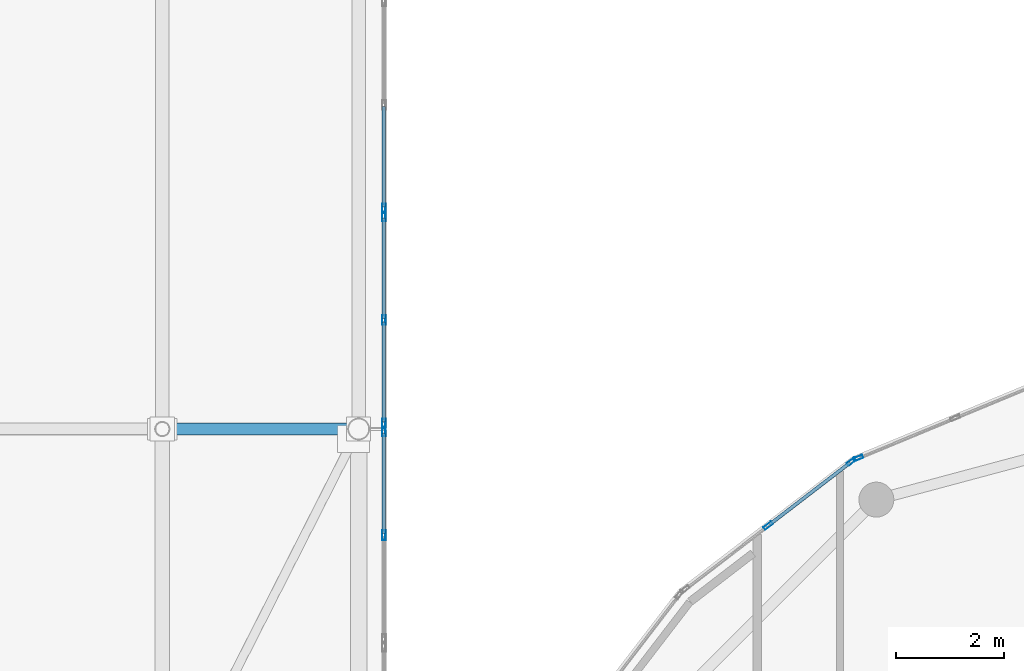
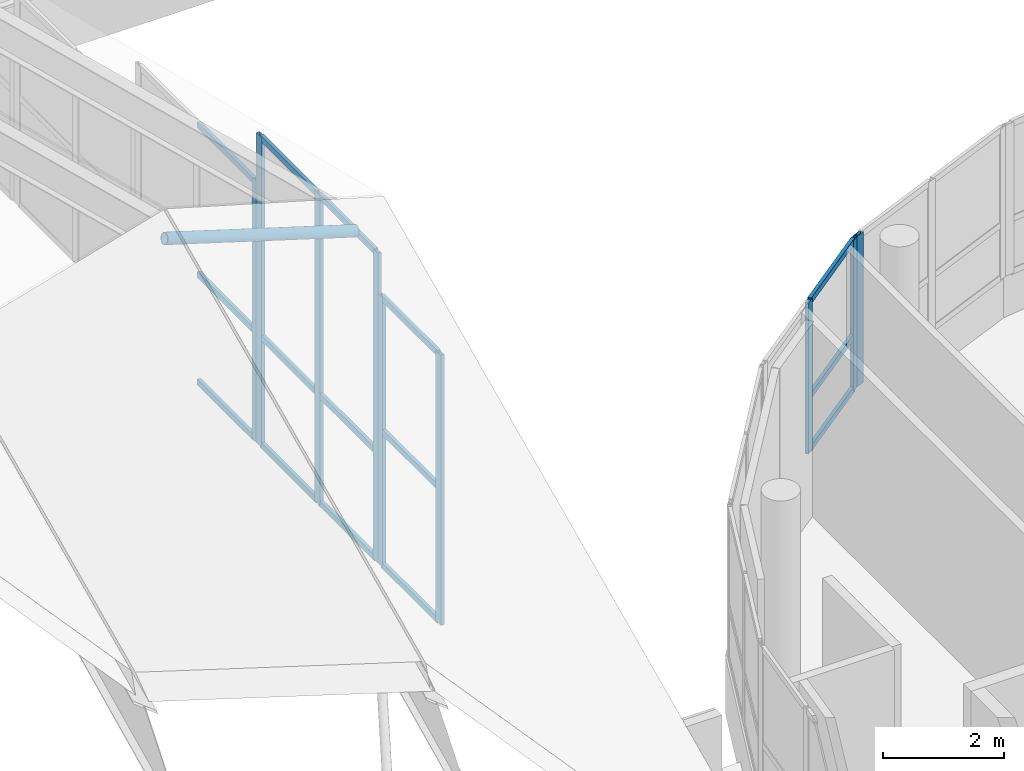
# One storey, part 60 of 184: 25 members, 5 elements without a shape of their own.
"""IFC4 building model written with IfcOpenShell, lengths in metres."""

from ifc_helpers import new_model, si_unit, direction, frame, origin, origin_2d, place, context, subcontext, project, spatial, hollow_rectangle, hollow_circle, extrude, material, material_profile, profile_set, type_object, element, aggregate, save


model = new_model("IFC4")

# Units and contexts
model_context = context("Model", 3, precision=1e-05, world=origin(), true_north=direction((0.0, 1.0)))
body_context = subcontext(model_context, "Body", "Model", "MODEL_VIEW")
ifc_project = project(units=[si_unit("LENGTHUNIT", "METRE"), si_unit("AREAUNIT", "SQUARE_METRE"), si_unit("VOLUMEUNIT", "CUBIC_METRE"), si_unit("PLANEANGLEUNIT", "RADIAN"), si_unit("MASSUNIT", "GRAM", prefix="KILO")], contexts=[model_context])

# Site, building, storey
site_placement = place(None, origin())
site = spatial("IfcSite", under=ifc_project, at=site_placement, CompositionType="ELEMENT")
building_placement = place(site_placement, origin())
building = spatial("IfcBuilding", under=site, at=building_placement, Name="Selatvlak General Hospital", CompositionType="ELEMENT")
storey_placement = place(building_placement, frame((0.0, 0.0, 15.0)))
storey = spatial("IfcBuildingStorey", under=building, at=storey_placement, Name="L03", CompositionType="ELEMENT", Elevation=15.0)

# Curtain wall, members
ifc_material_1 = material(Name="Solar-control Low-E double glazing", Category="glass")
curtain_wall_type_1 = type_object("IfcCurtainWallType", Name="CW-CW-05", PredefinedType="USERDEFINED", material=ifc_material_1)
curtain_wall_1_placement = place(storey_placement, origin())
curtain_wall_1 = element("IfcCurtainWall", 1, at=curtain_wall_1_placement, inside=storey, type_object=curtain_wall_type_1, Name="Glazed facade curtain wall CW-L03-0466", ObjectType="STICK GLAZING WALL", PredefinedType="USERDEFINED")
ifc_material_2 = material(Name="Dark anodised aluminium mullion", Category="aluminium")
ifc_material_profile_1 = material_profile(ifc_material_2, hollow_rectangle(XDim=0.06494140625, YDim=0.179931640625, WallThickness=0.00439453125, at=origin_2d()), Name="AL-MUL 65x180x4.5")
ifc_profile_set_1 = profile_set([ifc_material_profile_1], Name="Dark anodised aluminium mullion")
member_type_1 = type_object("IfcMemberType", Name="CWM-02", PredefinedType="MULLION", material=ifc_profile_set_1)
member_1_placement = place(storey_placement, frame((88.6640625, 66.20556640625, 0.85009765625), z_axis=(0.0, 0.0, 1.0), x_axis=(-0.608918417743, 0.793232853917, 0.0)))
member_1 = element("IfcMember", 2, at=member_1_placement, type_object=member_type_1, Name="CW-05 mullion 2", PredefinedType="MULLION", context=body_context, shape_type="SweptSolid", body=[
    extrude(hollow_rectangle(XDim=0.06494140625, YDim=0.179931640625, WallThickness=0.00439453125, at=origin_2d()), origin(), (0.0, 0.0, 1.0), 3.044921875),
])
member_2_placement = place(storey_placement, frame((90.211181640625, 67.393310546875, 0.85009765625), z_axis=(0.0, 0.0, 1.0), x_axis=(-0.608918417743, 0.793232853917, 0.0)))
member_2 = element("IfcMember", 3, at=member_2_placement, type_object=member_type_1, Name="CW-05 mullion 3", PredefinedType="MULLION", context=body_context, shape_type="SweptSolid", body=[
    extrude(hollow_rectangle(XDim=0.06494140625, YDim=0.179931640625, WallThickness=0.00439453125, at=origin_2d()), origin(), (0.0, 0.0, 1.0), 3.044921875),
])

# Curtain wall, member
curtain_wall_type_2 = type_object("IfcCurtainWallType", Name="CW-CW-04", PredefinedType="USERDEFINED", material=ifc_material_1)
curtain_wall_2_placement = place(storey_placement, origin())
curtain_wall_2 = element("IfcCurtainWall", 4, at=curtain_wall_2_placement, inside=storey, type_object=curtain_wall_type_2, Name="Glazed facade curtain wall CW-L03-0467", ObjectType="STICK GLAZING WALL", PredefinedType="USERDEFINED")
member_3_placement = place(storey_placement, frame((90.339111328125, 67.45947265625, 0.85009765625), z_axis=(0.0, 0.0, 1.0), x_axis=(-0.382752625243, 0.923850868847, 0.0)))
member_3 = element("IfcMember", 5, at=member_3_placement, type_object=member_type_1, Name="CW-04 mullion 1", PredefinedType="MULLION", context=body_context, shape_type="SweptSolid", body=[
    extrude(hollow_rectangle(XDim=0.06494140625, YDim=0.179931640625, WallThickness=0.00439453125, at=origin_2d()), origin(), (0.0, 0.0, 1.0), 3.044921875),
])
aggregate(curtain_wall_2, [member_3])

# Curtain wall, members
curtain_wall_3_placement = place(storey_placement, origin())
curtain_wall_3 = element("IfcCurtainWall", 6, at=curtain_wall_3_placement, inside=storey, type_object=curtain_wall_type_1, Name="Glazed facade curtain wall CW-L03-0732", ObjectType="STICK GLAZING WALL", PredefinedType="USERDEFINED")
member_4_placement = place(storey_placement, frame((81.52001953125, 66.02490234375, 0.0), z_axis=(0.0, 0.0, 1.0), x_axis=(-1.0, 0.0, 0.0)))
member_4 = element("IfcMember", 7, at=member_4_placement, type_object=member_type_1, Name="CW-05 mullion 2", PredefinedType="MULLION", context=body_context, shape_type="SweptSolid", body=[
    extrude(hollow_rectangle(XDim=0.06494140625, YDim=0.179931640625, WallThickness=0.00439453125, at=origin_2d()), origin(), (0.0, 0.0, 1.0), 5.449951171875),
])
member_5_placement = place(storey_placement, frame((81.52001953125, 67.952392578125, 0.0), z_axis=(0.0, 0.0, 1.0), x_axis=(-1.0, 0.0, 0.0)))
member_5 = element("IfcMember", 8, at=member_5_placement, type_object=member_type_1, Name="CW-05 mullion 3", PredefinedType="MULLION", context=body_context, shape_type="SweptSolid", body=[
    extrude(hollow_rectangle(XDim=0.06494140625, YDim=0.179931640625, WallThickness=0.00439453125, at=origin_2d()), origin(), (0.0, 0.0, 1.0), 5.449951171875),
])

curtain_wall_4_placement = place(storey_placement, origin())
curtain_wall_4 = element("IfcCurtainWall", 9, at=curtain_wall_4_placement, inside=storey, type_object=curtain_wall_type_1, Name="Glazed facade curtain wall CW-L03-0733", ObjectType="STICK GLAZING WALL", PredefinedType="USERDEFINED")
member_6_placement = place(storey_placement, frame((81.52001953125, 68.097412109375, 0.0), z_axis=(0.0, 0.0, 1.0), x_axis=(-1.0, 0.0, 0.0)))
member_6 = element("IfcMember", 10, at=member_6_placement, type_object=member_type_1, Name="CW-05 mullion 1", PredefinedType="MULLION", context=body_context, shape_type="SweptSolid", body=[
    extrude(hollow_rectangle(XDim=0.06494140625, YDim=0.179931640625, WallThickness=0.00439453125, at=origin_2d()), origin(), (0.0, 0.0, 1.0), 6.25),
])
member_7_placement = place(storey_placement, frame((81.52001953125, 70.02490234375, 0.0), z_axis=(0.0, 0.0, 1.0), x_axis=(-1.0, 0.0, 0.0)))
member_7 = element("IfcMember", 11, at=member_7_placement, type_object=member_type_1, Name="CW-05 mullion 2", PredefinedType="MULLION", context=body_context, shape_type="SweptSolid", body=[
    extrude(hollow_rectangle(XDim=0.06494140625, YDim=0.179931640625, WallThickness=0.00439453125, at=origin_2d()), origin(), (0.0, 0.0, 1.0), 6.25),
])
member_8_placement = place(storey_placement, frame((81.52001953125, 71.952392578125, 0.0), z_axis=(0.0, 0.0, 1.0), x_axis=(-1.0, 0.0, 0.0)))
member_8 = element("IfcMember", 12, at=member_8_placement, type_object=member_type_1, Name="CW-05 mullion 3", PredefinedType="MULLION", context=body_context, shape_type="SweptSolid", body=[
    extrude(hollow_rectangle(XDim=0.06494140625, YDim=0.179931640625, WallThickness=0.00439453125, at=origin_2d()), origin(), (0.0, 0.0, 1.0), 6.25),
])

# Curtain wall, member
curtain_wall_5_placement = place(storey_placement, origin())
curtain_wall_5 = element("IfcCurtainWall", 13, at=curtain_wall_5_placement, inside=storey, type_object=curtain_wall_type_1, Name="Glazed facade curtain wall CW-L03-0734", ObjectType="STICK GLAZING WALL", PredefinedType="USERDEFINED")
member_9_placement = place(storey_placement, frame((81.52001953125, 72.097412109375, 0.0), z_axis=(0.0, 0.0, 1.0), x_axis=(-1.0, 0.0, 0.0)))
member_9 = element("IfcMember", 14, at=member_9_placement, type_object=member_type_1, Name="CW-05 mullion 1", PredefinedType="MULLION", context=body_context, shape_type="SweptSolid", body=[
    extrude(hollow_rectangle(XDim=0.06494140625, YDim=0.179931640625, WallThickness=0.00439453125, at=origin_2d()), origin(), (0.0, 0.0, 1.0), 5.25),
])

# Member
ifc_material_profile_2 = material_profile(ifc_material_2, hollow_rectangle(XDim=0.06494140625, YDim=0.1201171875, WallThickness=0.00390625, at=origin_2d()), Name="AL-TRN 65x120x4")
ifc_profile_set_2 = profile_set([ifc_material_profile_2], Name="Dark anodised aluminium mullion")
member_type_2 = type_object("IfcMemberType", Name="CWT-01", PredefinedType="USERDEFINED", material=ifc_profile_set_2)
member_10_placement = place(storey_placement, frame((88.689697265625, 66.225341796875, 0.882568359375), z_axis=(0.793254062913, 0.608890787968, 0.0), x_axis=(-0.608890787968, 0.793254062913, 0.0)))
member_10 = element("IfcMember", 15, at=member_10_placement, type_object=member_type_2, Name="CW-05 transom 2.1", ObjectType="TRANSOM", PredefinedType="USERDEFINED", context=body_context, shape_type="SweptSolid", body=[
    extrude(hollow_rectangle(XDim=0.06494140625, YDim=0.1201171875, WallThickness=0.00390625, at=origin_2d()), origin(), (0.0, 0.0, 1.0), 1.8857421875),
])

member_11_placement = place(storey_placement, frame((88.689697265625, 66.225341796875, 1.947021484375), z_axis=(0.793254062913, 0.608890787968, 0.0), x_axis=(-0.608890787968, 0.793254062913, 0.0)))
member_11 = element("IfcMember", 16, at=member_11_placement, type_object=member_type_2, Name="CW-05 transom 2.2", ObjectType="TRANSOM", PredefinedType="USERDEFINED", context=body_context, shape_type="SweptSolid", body=[
    extrude(hollow_rectangle(XDim=0.06494140625, YDim=0.1201171875, WallThickness=0.00390625, at=origin_2d()), origin(), (0.0, 0.0, 1.0), 1.8857421875),
])

member_12_placement = place(storey_placement, frame((88.689697265625, 66.225341796875, 3.862548828125), z_axis=(0.793254062913, 0.608890787968, 0.0), x_axis=(-0.608890787968, 0.793254062913, 0.0)))
member_12 = element("IfcMember", 17, at=member_12_placement, type_object=member_type_2, Name="CW-05 transom 2.3", ObjectType="TRANSOM", PredefinedType="USERDEFINED", context=body_context, shape_type="SweptSolid", body=[
    extrude(hollow_rectangle(XDim=0.06494140625, YDim=0.1201171875, WallThickness=0.00390625, at=origin_2d()), origin(), (0.0, 0.0, 1.0), 1.8857421875),
])

aggregate(curtain_wall_1, [member_1, member_2, member_10, member_11, member_12])

member_13_placement = place(storey_placement, frame((81.52001953125, 66.0576171875, 0.032470703125), z_axis=(0.0, 1.0, 0.0), x_axis=(-1.0, 0.0, 0.0)))
member_13 = element("IfcMember", 18, at=member_13_placement, type_object=member_type_2, Name="CW-05 transom 2.1", ObjectType="TRANSOM", PredefinedType="USERDEFINED", context=body_context, shape_type="SweptSolid", body=[
    extrude(hollow_rectangle(XDim=0.06494140625, YDim=0.1201171875, WallThickness=0.00390625, at=origin_2d()), origin(), (0.0, 0.0, 1.0), 1.8623046875),
])

member_14_placement = place(storey_placement, frame((81.52001953125, 66.0576171875, 2.72509765625), z_axis=(0.0, 1.0, 0.0), x_axis=(-1.0, 0.0, 0.0)))
member_14 = element("IfcMember", 19, at=member_14_placement, type_object=member_type_2, Name="CW-05 transom 2.2", ObjectType="TRANSOM", PredefinedType="USERDEFINED", context=body_context, shape_type="SweptSolid", body=[
    extrude(hollow_rectangle(XDim=0.06494140625, YDim=0.1201171875, WallThickness=0.00390625, at=origin_2d()), origin(), (0.0, 0.0, 1.0), 1.8623046875),
])

member_15_placement = place(storey_placement, frame((81.52001953125, 66.0576171875, 5.41748046875), z_axis=(0.0, 1.0, 0.0), x_axis=(-1.0, 0.0, 0.0)))
member_15 = element("IfcMember", 20, at=member_15_placement, type_object=member_type_2, Name="CW-05 transom 2.3", ObjectType="TRANSOM", PredefinedType="USERDEFINED", context=body_context, shape_type="SweptSolid", body=[
    extrude(hollow_rectangle(XDim=0.06494140625, YDim=0.1201171875, WallThickness=0.00390625, at=origin_2d()), origin(), (0.0, 0.0, 1.0), 1.8623046875),
])

aggregate(curtain_wall_3, [member_4, member_5, member_13, member_14, member_15])

member_16_placement = place(storey_placement, frame((81.52001953125, 68.1298828125, 0.032470703125), z_axis=(0.0, 1.0, 0.0), x_axis=(-1.0, 0.0, 0.0)))
member_16 = element("IfcMember", 21, at=member_16_placement, type_object=member_type_2, Name="CW-05 transom 1.1", ObjectType="TRANSOM", PredefinedType="USERDEFINED", context=body_context, shape_type="SweptSolid", body=[
    extrude(hollow_rectangle(XDim=0.06494140625, YDim=0.1201171875, WallThickness=0.00390625, at=origin_2d()), origin(), (0.0, 0.0, 1.0), 1.862548828125),
])

member_17_placement = place(storey_placement, frame((81.52001953125, 68.1298828125, 2.199951171875), z_axis=(0.0, 1.0, 0.0), x_axis=(-1.0, 0.0, 0.0)))
member_17 = element("IfcMember", 22, at=member_17_placement, type_object=member_type_2, Name="CW-05 transom 1.2", ObjectType="TRANSOM", PredefinedType="USERDEFINED", context=body_context, shape_type="SweptSolid", body=[
    extrude(hollow_rectangle(XDim=0.06494140625, YDim=0.1201171875, WallThickness=0.00390625, at=origin_2d()), origin(), (0.0, 0.0, 1.0), 1.862548828125),
])

member_18_placement = place(storey_placement, frame((81.52001953125, 68.1298828125, 6.217529296875), z_axis=(0.0, 1.0, 0.0), x_axis=(-1.0, 0.0, 0.0)))
member_18 = element("IfcMember", 23, at=member_18_placement, type_object=member_type_2, Name="CW-05 transom 1.3", ObjectType="TRANSOM", PredefinedType="USERDEFINED", context=body_context, shape_type="SweptSolid", body=[
    extrude(hollow_rectangle(XDim=0.06494140625, YDim=0.1201171875, WallThickness=0.00390625, at=origin_2d()), origin(), (0.0, 0.0, 1.0), 1.862548828125),
])

member_19_placement = place(storey_placement, frame((81.52001953125, 70.0576171875, 0.032470703125), z_axis=(0.0, 1.0, 0.0), x_axis=(-1.0, 0.0, 0.0)))
member_19 = element("IfcMember", 24, at=member_19_placement, type_object=member_type_2, Name="CW-05 transom 2.1", ObjectType="TRANSOM", PredefinedType="USERDEFINED", context=body_context, shape_type="SweptSolid", body=[
    extrude(hollow_rectangle(XDim=0.06494140625, YDim=0.1201171875, WallThickness=0.00390625, at=origin_2d()), origin(), (0.0, 0.0, 1.0), 1.8623046875),
])

member_20_placement = place(storey_placement, frame((81.52001953125, 70.0576171875, 2.199951171875), z_axis=(0.0, 1.0, 0.0), x_axis=(-1.0, 0.0, 0.0)))
member_20 = element("IfcMember", 25, at=member_20_placement, type_object=member_type_2, Name="CW-05 transom 2.2", ObjectType="TRANSOM", PredefinedType="USERDEFINED", context=body_context, shape_type="SweptSolid", body=[
    extrude(hollow_rectangle(XDim=0.06494140625, YDim=0.1201171875, WallThickness=0.00390625, at=origin_2d()), origin(), (0.0, 0.0, 1.0), 1.8623046875),
])

member_21_placement = place(storey_placement, frame((81.52001953125, 70.0576171875, 6.217529296875), z_axis=(0.0, 1.0, 0.0), x_axis=(-1.0, 0.0, 0.0)))
member_21 = element("IfcMember", 26, at=member_21_placement, type_object=member_type_2, Name="CW-05 transom 2.3", ObjectType="TRANSOM", PredefinedType="USERDEFINED", context=body_context, shape_type="SweptSolid", body=[
    extrude(hollow_rectangle(XDim=0.06494140625, YDim=0.1201171875, WallThickness=0.00390625, at=origin_2d()), origin(), (0.0, 0.0, 1.0), 1.8623046875),
])

aggregate(curtain_wall_4, [member_6, member_7, member_8, member_16, member_17, member_18, member_19, member_20, member_21])

member_22_placement = place(storey_placement, frame((81.52001953125, 72.1298828125, 0.032470703125), z_axis=(0.0, 1.0, 0.0), x_axis=(-1.0, 0.0, 0.0)))
member_22 = element("IfcMember", 27, at=member_22_placement, type_object=member_type_2, Name="CW-05 transom 1.1", ObjectType="TRANSOM", PredefinedType="USERDEFINED", context=body_context, shape_type="SweptSolid", body=[
    extrude(hollow_rectangle(XDim=0.06494140625, YDim=0.1201171875, WallThickness=0.00390625, at=origin_2d()), origin(), (0.0, 0.0, 1.0), 1.862548828125),
])

member_23_placement = place(storey_placement, frame((81.52001953125, 72.1298828125, 2.199951171875), z_axis=(0.0, 1.0, 0.0), x_axis=(-1.0, 0.0, 0.0)))
member_23 = element("IfcMember", 28, at=member_23_placement, type_object=member_type_2, Name="CW-05 transom 1.2", ObjectType="TRANSOM", PredefinedType="USERDEFINED", context=body_context, shape_type="SweptSolid", body=[
    extrude(hollow_rectangle(XDim=0.06494140625, YDim=0.1201171875, WallThickness=0.00390625, at=origin_2d()), origin(), (0.0, 0.0, 1.0), 1.862548828125),
])

member_24_placement = place(storey_placement, frame((81.52001953125, 72.1298828125, 5.217529296875), z_axis=(0.0, 1.0, 0.0), x_axis=(-1.0, 0.0, 0.0)))
member_24 = element("IfcMember", 29, at=member_24_placement, type_object=member_type_2, Name="CW-05 transom 1.3", ObjectType="TRANSOM", PredefinedType="USERDEFINED", context=body_context, shape_type="SweptSolid", body=[
    extrude(hollow_rectangle(XDim=0.06494140625, YDim=0.1201171875, WallThickness=0.00390625, at=origin_2d()), origin(), (0.0, 0.0, 1.0), 1.862548828125),
])

aggregate(curtain_wall_5, [member_9, member_22, member_23, member_24])

ifc_material_3 = material(Name="Steel S355", Category="steel")
ifc_material_profile_3 = material_profile(ifc_material_3, hollow_circle(Radius=0.109619140625, WallThickness=0.008056640625, at=origin_2d()), Name="CHS 219.1x8")
ifc_profile_set_3 = profile_set([ifc_material_profile_3], Name="Steel S355")
member_type_3 = type_object("IfcMemberType", Name="MEM-BR1", PredefinedType="BRACE", material=ifc_profile_set_3)
member_25_placement = place(storey_placement, frame((81.050048828125, 68.0, 6.87109375), z_axis=(-0.955802503899, 0.0, 0.294009478659), x_axis=(0.0, -1.0, 0.0)))
element("IfcMember", 30, at=member_25_placement, inside=storey, type_object=member_type_3, Name="Folded roof V-brace SP-13R", PredefinedType="BRACE", context=body_context, shape_type="SweptSolid", body=[
    extrude(hollow_circle(Radius=0.109619140625, WallThickness=0.008056640625, at=origin_2d()), origin(), (0.0, 0.0, 1.0), 3.81884765625),
])

save(model, "model.ifc")
